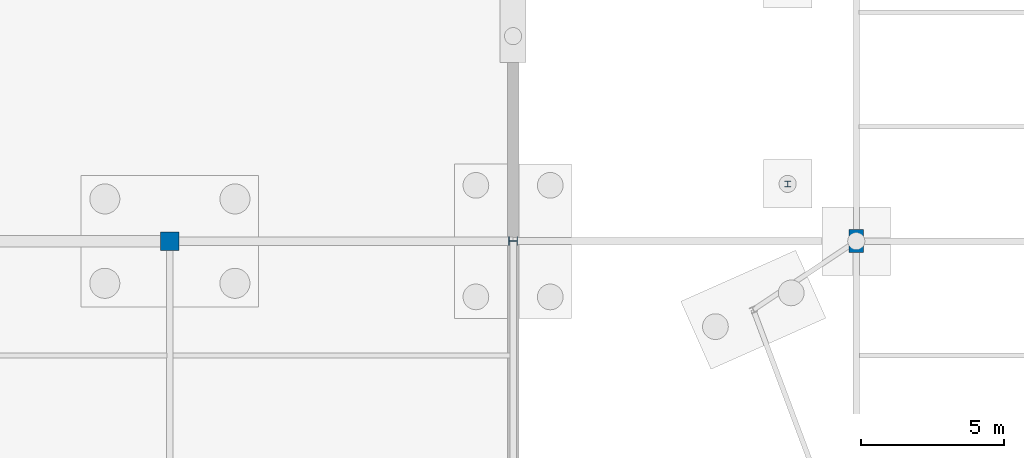
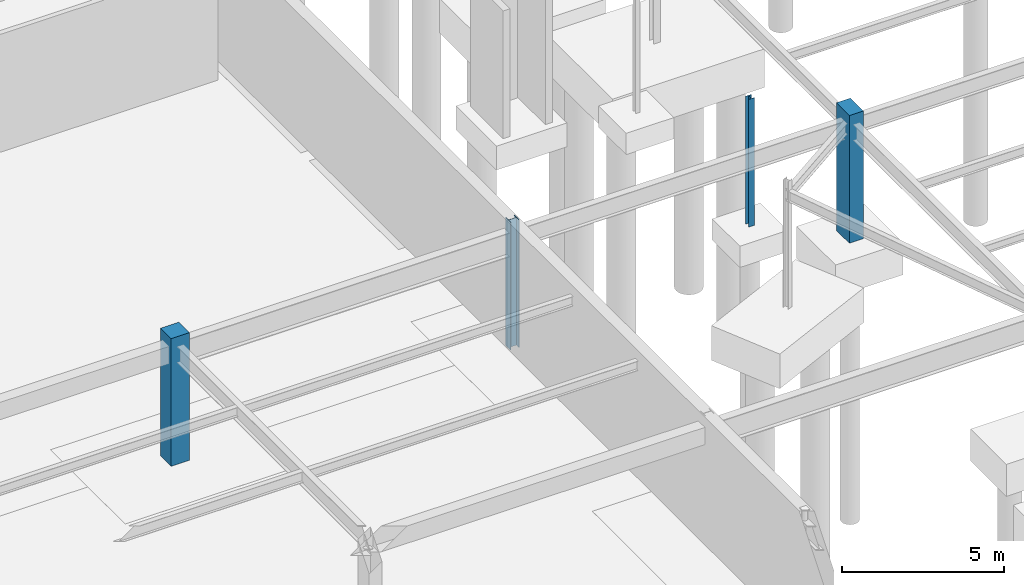
# One storey, part 51 of 136: 4 columns.
"""IFC4 building model written with IfcOpenShell, lengths in metres."""

from ifc_helpers import new_model, si_unit, direction, frame, origin, origin_2d, place, context, subcontext, project, spatial, rectangle, i_section, extrude, material, material_profile, profile_set, type_object, element, save


model = new_model("IFC4")

# Units and contexts
model_context = context("Model", 3, precision=1e-05, world=origin(), true_north=direction((0.0, 1.0)))
body_context = subcontext(model_context, "Body", "Model", "MODEL_VIEW")
ifc_project = project(units=[si_unit("LENGTHUNIT", "METRE"), si_unit("AREAUNIT", "SQUARE_METRE"), si_unit("VOLUMEUNIT", "CUBIC_METRE"), si_unit("PLANEANGLEUNIT", "RADIAN"), si_unit("MASSUNIT", "GRAM", prefix="KILO")], contexts=[model_context])

# Site, building, storey
site_placement = place(None, origin())
site = spatial("IfcSite", under=ifc_project, at=site_placement, CompositionType="ELEMENT")
building_placement = place(site_placement, origin())
building = spatial("IfcBuilding", under=site, at=building_placement, Name="Tarnwether General Hospital", CompositionType="ELEMENT")
storey_placement = place(building_placement, frame((0.0, 0.0, -4.800048828125)))
storey = spatial("IfcBuildingStorey", under=building, at=storey_placement, Name="LG", CompositionType="ELEMENT", Elevation=-4.800048828125)

# Columns
ifc_material_1 = material(Name="Steel Grade 350 (350 MPa)", Category="steel")
ifc_material_profile_1 = material_profile(ifc_material_1, i_section(OverallWidth=0.304931640625, OverallDepth=0.30810546875, WebThickness=0.010009765625, FlangeThickness=0.015380859375, at=origin_2d()), Name="310UC96.8")
ifc_profile_set_1 = profile_set([ifc_material_profile_1], Name="Steel Grade 350 (350 MPa)")
column_type_1 = type_object("IfcColumnType", Name="COL-08", PredefinedType="COLUMN", material=ifc_profile_set_1)
column_1_placement = place(storey_placement, frame((132.0, 45.60009765625, 0.0), z_axis=(0.0, 0.0, 1.0), x_axis=(0.0, 1.0, 0.0)))
element("IfcColumn", 1, at=column_1_placement, inside=storey, type_object=column_type_1, Name="Column COLG-LG-13200_4560", PredefinedType="COLUMN", context=body_context, shape_type="SweptSolid", body=[
    extrude(i_section(OverallWidth=0.304931640625, OverallDepth=0.30810546875, WebThickness=0.010009765625, FlangeThickness=0.015380859375, at=origin_2d()), origin(), (0.0, 0.0, 1.0), 4.800048828125),
])
ifc_material_2 = material(Name="Concrete 50 MPa", Category="concrete")
ifc_material_profile_2 = material_profile(ifc_material_2, rectangle(XDim=0.5, YDim=0.800048828125, at=origin_2d()), Name="RC-PIL-500x800")
ifc_profile_set_2 = profile_set([ifc_material_profile_2], Name="Concrete 50 MPa")
column_type_2 = type_object("IfcColumnType", Name="COL-23", PredefinedType="PILASTER", material=ifc_profile_set_2)
column_2_placement = place(storey_placement, frame((144.0, 45.60009765625, 0.0), z_axis=(0.0, 0.0, 1.0), x_axis=(1.0, 0.0, 0.0)))
element("IfcColumn", 2, at=column_2_placement, inside=storey, type_object=column_type_2, Name="Column COLG-LG-14400_4560", PredefinedType="PILASTER", context=body_context, shape_type="SweptSolid", body=[
    extrude(rectangle(XDim=0.5, YDim=0.800048828125, at=origin_2d()), origin(), (0.0, 0.0, 1.0), 4.800048828125),
])
ifc_material_3 = material(Name="Steel Grade 350 (350 MPa)", Category="steel")
ifc_material_profile_3 = material_profile(ifc_material_3, i_section(OverallWidth=0.202880859375, OverallDepth=0.202880859375, WebThickness=0.00732421875, FlangeThickness=0.010986328125, at=origin_2d()), Name="200UC46.2")
ifc_profile_set_3 = profile_set([ifc_material_profile_3], Name="Steel Grade 350 (350 MPa)")
column_type_3 = type_object("IfcColumnType", Name="COL-27", PredefinedType="COLUMN", material=ifc_profile_set_3)
column_3_placement = place(storey_placement, frame((141.60009765625, 47.60009765625, 0.0), z_axis=(0.0, 0.0, 1.0), x_axis=(1.0, 0.0, 0.0)))
element("IfcColumn", 3, at=column_3_placement, inside=storey, type_object=column_type_3, Name="Column COLG-LG-14160_4760", PredefinedType="COLUMN", context=body_context, shape_type="SweptSolid", body=[
    extrude(i_section(OverallWidth=0.202880859375, OverallDepth=0.202880859375, WebThickness=0.00732421875, FlangeThickness=0.010986328125, at=origin_2d()), origin(), (0.0, 0.0, 1.0), 4.800048828125),
])
ifc_material_4 = material(Name="Concrete 50 MPa", Category="concrete")
ifc_material_profile_4 = material_profile(ifc_material_4, rectangle(XDim=0.64990234375, YDim=0.64990234375, at=origin_2d()), Name="RC-COL-650x650")
ifc_profile_set_4 = profile_set([ifc_material_profile_4], Name="Concrete 50 MPa")
column_type_4 = type_object("IfcColumnType", Name="COL-35", PredefinedType="COLUMN", material=ifc_profile_set_4)
column_4_placement = place(storey_placement, frame((120.0, 45.60009765625, 0.0), z_axis=(0.0, 0.0, 1.0), x_axis=(1.0, 0.0, 0.0)))
element("IfcColumn", 4, at=column_4_placement, inside=storey, type_object=column_type_4, Name="Column COLG-LG-12000_4560", PredefinedType="COLUMN", context=body_context, shape_type="SweptSolid", body=[
    extrude(rectangle(XDim=0.64990234375, YDim=0.64990234375, at=origin_2d()), origin(), (0.0, 0.0, 1.0), 4.800048828125),
])

save(model, "model.ifc")
